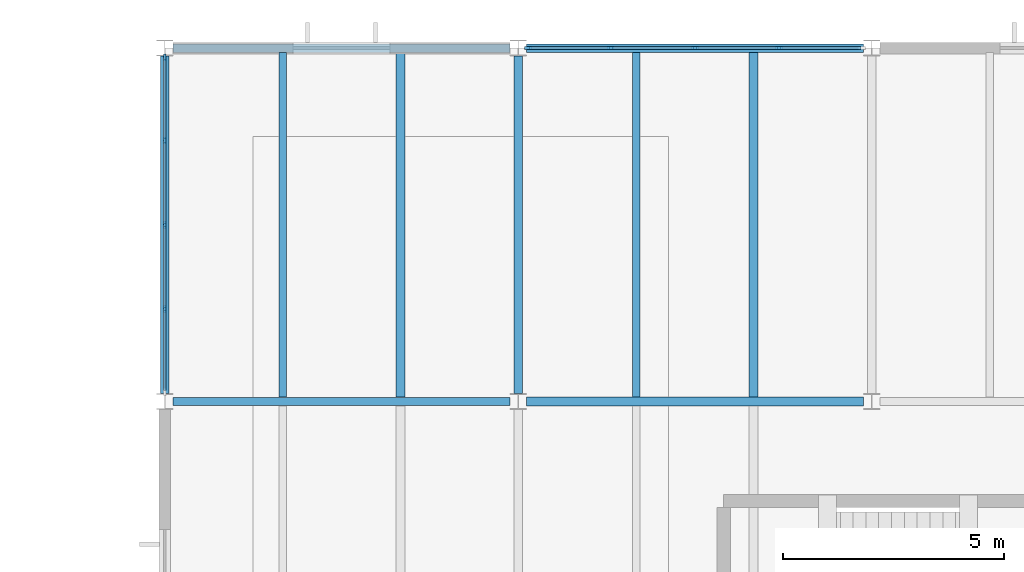
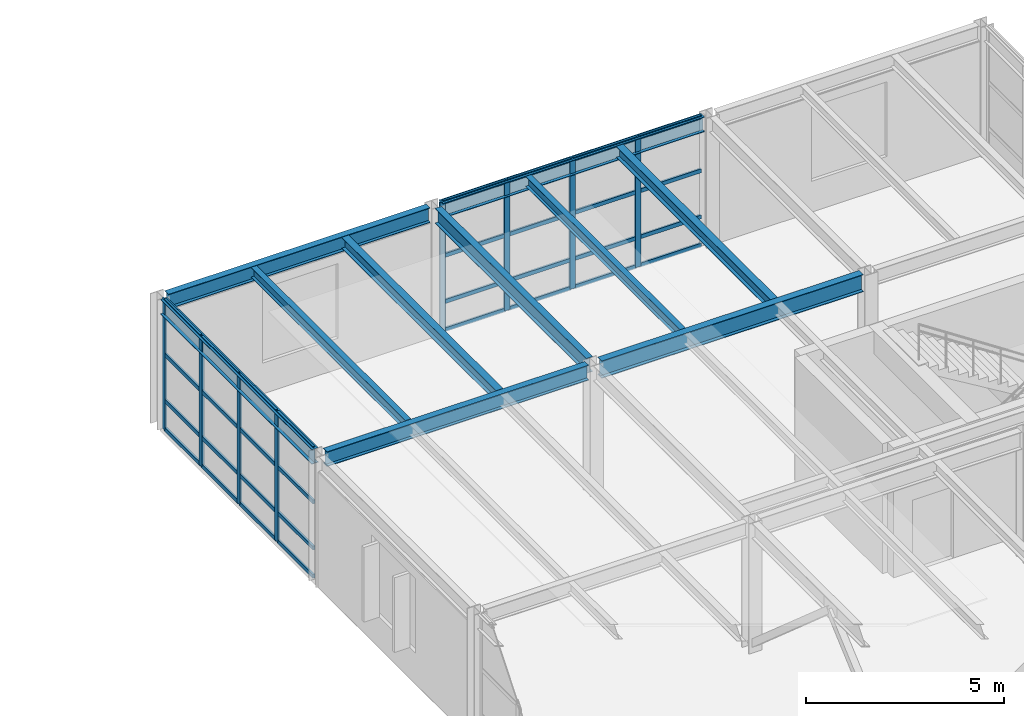
# One storey, part 26 of 50: 40 members, 10 beams, 2 elements without a shape of their own.
"""IFC4 building model written with IfcOpenShell, lengths in metres."""

from ifc_helpers import new_model, si_unit, direction, frame, origin, origin_2d, place, context, subcontext, project, spatial, rectangle, i_section, extrude, material, layer, layer_set, material_profile, profile_set, type_object, element, aggregate, save


model = new_model("IFC4")

# Units and contexts
model_context = context("Model", 3, precision=1e-05, world=origin(), true_north=direction((0.0, 1.0)))
body_context = subcontext(model_context, "Body", "Model", "MODEL_VIEW")
ifc_project = project(units=[si_unit("LENGTHUNIT", "METRE"), si_unit("AREAUNIT", "SQUARE_METRE"), si_unit("VOLUMEUNIT", "CUBIC_METRE"), si_unit("PLANEANGLEUNIT", "RADIAN"), si_unit("MASSUNIT", "GRAM", prefix="KILO")], contexts=[model_context])

# Site, building, storey
site_placement = place(None, origin())
site = spatial("IfcSite", under=ifc_project, at=site_placement, CompositionType="ELEMENT")
building_placement = place(site_placement, origin())
building = spatial("IfcBuilding", under=site, at=building_placement, Name="Varnela Railside Interchange", CompositionType="ELEMENT")
storey_placement = place(building_placement, frame((0.0, 0.0, 15.39990234375)))
storey = spatial("IfcBuildingStorey", under=building, at=storey_placement, Name="L03", CompositionType="ELEMENT", Elevation=15.39990234375)

# Beams
ifc_material_1 = material(Name="Steel AR 350 (350 MPa)", Category="steel")
ifc_material_profile_1 = material_profile(ifc_material_1, i_section(OverallWidth=0.1650390625, OverallDepth=0.31005859375, WebThickness=0.005859375, FlangeThickness=0.009765625, at=origin_2d()), Name="W310x38.7")
ifc_profile_set_1 = profile_set([ifc_material_profile_1], Name="Steel AR 350 (350 MPa)")
beam_type_1 = type_object("IfcBeamType", Name="Composite Floor Joist J-04", PredefinedType="JOIST", material=ifc_profile_set_1)
for number, where, z_axis, x_axis, name in (
    (1, (118.669921875, 86.1044921875, 3.84521484375), (0.0, 1.0, 0.0), (-1.0, 0.0, 0.0), "Composite Floor Joist J-04 (L03) (BM-2130)"),
    (2, (126.669921875, 86.1044921875, 3.84521484375), (0.0, 1.0, 0.0), (-1.0, 0.0, 0.0), "Composite Floor Joist J-04 (L03) (BM-2143)"),
):
    element("IfcBeam", number, at=place(storey_placement, frame(where, z_axis=z_axis, x_axis=x_axis)), inside=storey, type_object=beam_type_1, Name=name, PredefinedType="JOIST", context=body_context, shape_type="SweptSolid", body=[
        extrude(i_section(OverallWidth=0.1650390625, OverallDepth=0.31005859375, WebThickness=0.005859375, FlangeThickness=0.009765625, at=origin_2d()), origin(), (0.0, 0.0, 1.0), 7.791015625),
    ])
ifc_material_profile_2 = material_profile(ifc_material_1, i_section(OverallWidth=0.208984375, OverallDepth=0.532958984375, WebThickness=0.01025390625, FlangeThickness=0.015625, at=origin_2d()), Name="W530x92")
ifc_profile_set_2 = profile_set([ifc_material_profile_2], Name="Steel AR 350 (350 MPa)")
beam_type_2 = type_object("IfcBeamType", Name="Composite Girder B-18", PredefinedType="BEAM", material=ifc_profile_set_2)
beam_placement = place(storey_placement, frame((124.1865234375, 86.0, 3.733642578125), z_axis=(1.0, 0.0, 0.0), x_axis=(0.0, 1.0, 0.0)))
element("IfcBeam", 3, at=beam_placement, inside=storey, type_object=beam_type_2, Name="Composite Girder B-18 (L03) (BM-2259)", PredefinedType="BEAM", context=body_context, shape_type="SweptSolid", body=[
    extrude(i_section(OverallWidth=0.208984375, OverallDepth=0.532958984375, WebThickness=0.01025390625, FlangeThickness=0.015625, at=origin_2d()), origin(), (0.0, 0.0, 1.0), 7.626953125),
])
ifc_material_profile_3 = material_profile(ifc_material_1, i_section(OverallWidth=0.202880859375, OverallDepth=0.346923828125, WebThickness=0.0078125, FlangeThickness=0.013427734375, at=origin_2d()), Name="W360x64")
ifc_profile_set_3 = profile_set([ifc_material_profile_3], Name="Steel AR 350 (350 MPa)")
beam_type_3 = type_object("IfcBeamType", Name="Composite Heavy Joist J-01", PredefinedType="JOIST", material=ifc_profile_set_3)
for number, where, z_axis, x_axis, name in (
    (4, (121.330078125, 86.1044921875, 3.82666015625), (0.0, 1.0, 0.0), (-1.0, 0.0, 0.0), "Composite Heavy Joist J-01 (L03) (BM-2131)"),
    (5, (129.330078125, 86.1044921875, 3.82666015625), (0.0, 1.0, 0.0), (-1.0, 0.0, 0.0), "Composite Heavy Joist J-01 (L03) (BM-2144)"),
):
    element("IfcBeam", number, at=place(storey_placement, frame(where, z_axis=z_axis, x_axis=x_axis)), inside=storey, type_object=beam_type_3, Name=name, PredefinedType="JOIST", context=body_context, shape_type="SweptSolid", body=[
        extrude(i_section(OverallWidth=0.202880859375, OverallDepth=0.346923828125, WebThickness=0.0078125, FlangeThickness=0.013427734375, at=origin_2d()), origin(), (0.0, 0.0, 1.0), 7.791015625),
    ])

# Curtain wall, members
ifc_material_2 = material(Name="Aluminium 6063-T6", Category="aluminium")
ifc_layer = layer(ifc_material_2, 0.035888671875)
ifc_layer_set = layer_set([ifc_layer], Name="Aluminium 6063-T6")
curtain_wall_type = type_object("IfcCurtainWallType", Name="Study Pavilion Gallery Curtain Wall CW-02", PredefinedType="USERDEFINED", material=ifc_layer_set)
curtain_wall_1_placement = place(storey_placement, origin())
curtain_wall_1 = element("IfcCurtainWall", 6, at=curtain_wall_1_placement, inside=storey, type_object=curtain_wall_type, Name="Curtain Wall CW-02 (L03) (CW-092)", ObjectType="CURTAIN WALL", PredefinedType="USERDEFINED")
ifc_material_profile_4 = material_profile(ifc_material_2, rectangle(XDim=0.06005859375, YDim=0.159912109375, at=origin_2d()), Name="ALU 60x160")
ifc_profile_set_4 = profile_set([ifc_material_profile_4], Name="Aluminium 6063-T6")
member_type_1 = type_object("IfcMemberType", Name="Curtain Wall Mullion ML-02", PredefinedType="MULLION", material=ifc_profile_set_4)
member_1_placement = place(storey_placement, frame((116.0, 88.092041015625, 0.0), z_axis=(0.0, 0.0, 1.0), x_axis=(-1.0, 0.0, 0.0)))
member_1 = element("IfcMember", 7, at=member_1_placement, type_object=member_type_1, Name="CW-02 mullion 2", PredefinedType="MULLION", context=body_context, shape_type="SweptSolid", body=[
    extrude(rectangle(XDim=0.06005859375, YDim=0.159912109375, at=origin_2d()), origin(), (0.0, 0.0, 1.0), 4.0),
])
member_2_placement = place(storey_placement, frame((116.0, 90.0, 0.0), z_axis=(0.0, 0.0, 1.0), x_axis=(-1.0, 0.0, 0.0)))
member_2 = element("IfcMember", 8, at=member_2_placement, type_object=member_type_1, Name="CW-02 mullion 3", PredefinedType="MULLION", context=body_context, shape_type="SweptSolid", body=[
    extrude(rectangle(XDim=0.06005859375, YDim=0.159912109375, at=origin_2d()), origin(), (0.0, 0.0, 1.0), 4.0),
])
member_3_placement = place(storey_placement, frame((116.0, 91.907958984375, 0.0), z_axis=(0.0, 0.0, 1.0), x_axis=(-1.0, 0.0, 0.0)))
member_3 = element("IfcMember", 9, at=member_3_placement, type_object=member_type_1, Name="CW-02 mullion 4", PredefinedType="MULLION", context=body_context, shape_type="SweptSolid", body=[
    extrude(rectangle(XDim=0.06005859375, YDim=0.159912109375, at=origin_2d()), origin(), (0.0, 0.0, 1.0), 4.0),
])
member_4_placement = place(storey_placement, frame((116.0, 93.785888671875, 0.0), z_axis=(0.0, 0.0, 1.0), x_axis=(-1.0, 0.0, 0.0)))
member_4 = element("IfcMember", 10, at=member_4_placement, type_object=member_type_1, Name="CW-02 mullion 5", PredefinedType="MULLION", context=body_context, shape_type="SweptSolid", body=[
    extrude(rectangle(XDim=0.06005859375, YDim=0.159912109375, at=origin_2d()), origin(), (0.0, 0.0, 1.0), 4.0),
])

curtain_wall_2_placement = place(storey_placement, origin())
curtain_wall_2 = element("IfcCurtainWall", 11, at=curtain_wall_2_placement, inside=storey, type_object=curtain_wall_type, Name="Curtain Wall CW-02 (L03) (CW-093)", ObjectType="CURTAIN WALL", PredefinedType="USERDEFINED")
member_5_placement = place(storey_placement, frame((124.216552734375, 94.0, 0.0), z_axis=(0.0, 0.0, 1.0), x_axis=(0.0, 1.0, 0.0)))
member_5 = element("IfcMember", 12, at=member_5_placement, type_object=member_type_1, Name="CW-02 mullion 1", PredefinedType="MULLION", context=body_context, shape_type="SweptSolid", body=[
    extrude(rectangle(XDim=0.06005859375, YDim=0.159912109375, at=origin_2d()), origin(), (0.0, 0.0, 1.0), 4.0),
])
member_6_placement = place(storey_placement, frame((126.09326171875, 94.0, 0.0), z_axis=(0.0, 0.0, 1.0), x_axis=(0.0, 1.0, 0.0)))
member_6 = element("IfcMember", 13, at=member_6_placement, type_object=member_type_1, Name="CW-02 mullion 2", PredefinedType="MULLION", context=body_context, shape_type="SweptSolid", body=[
    extrude(rectangle(XDim=0.06005859375, YDim=0.159912109375, at=origin_2d()), origin(), (0.0, 0.0, 1.0), 4.0),
])
member_7_placement = place(storey_placement, frame((128.0, 94.0, 0.0), z_axis=(0.0, 0.0, 1.0), x_axis=(0.0, 1.0, 0.0)))
member_7 = element("IfcMember", 14, at=member_7_placement, type_object=member_type_1, Name="CW-02 mullion 3", PredefinedType="MULLION", context=body_context, shape_type="SweptSolid", body=[
    extrude(rectangle(XDim=0.06005859375, YDim=0.159912109375, at=origin_2d()), origin(), (0.0, 0.0, 1.0), 4.0),
])
member_8_placement = place(storey_placement, frame((129.90673828125, 94.0, 0.0), z_axis=(0.0, 0.0, 1.0), x_axis=(0.0, 1.0, 0.0)))
member_8 = element("IfcMember", 15, at=member_8_placement, type_object=member_type_1, Name="CW-02 mullion 4", PredefinedType="MULLION", context=body_context, shape_type="SweptSolid", body=[
    extrude(rectangle(XDim=0.06005859375, YDim=0.159912109375, at=origin_2d()), origin(), (0.0, 0.0, 1.0), 4.0),
])

# Member
ifc_material_profile_5 = material_profile(ifc_material_2, rectangle(XDim=0.06005859375, YDim=0.1201171875, at=origin_2d()), Name="ALU 60x120")
ifc_profile_set_5 = profile_set([ifc_material_profile_5], Name="Aluminium 6063-T6")
member_type_2 = type_object("IfcMemberType", Name="Curtain Wall Transom TR-02", PredefinedType="USERDEFINED", material=ifc_profile_set_5)
member_9_placement = place(storey_placement, frame((116.0, 86.243896484375, 0.030029296875), z_axis=(0.0, 1.0, 0.0), x_axis=(-1.0, 0.0, 0.0)))
member_9 = element("IfcMember", 16, at=member_9_placement, type_object=member_type_2, Name="CW-02 transom 1.1", ObjectType="TRANSOM", PredefinedType="USERDEFINED", context=body_context, shape_type="SweptSolid", body=[
    extrude(rectangle(XDim=0.06005859375, YDim=0.1201171875, at=origin_2d()), origin(), (0.0, 0.0, 1.0), 1.818115234375),
])

member_10_placement = place(storey_placement, frame((116.0, 86.243896484375, 0.900146484375), z_axis=(0.0, 1.0, 0.0), x_axis=(-1.0, 0.0, 0.0)))
member_10 = element("IfcMember", 17, at=member_10_placement, type_object=member_type_2, Name="CW-02 transom 1.2", ObjectType="TRANSOM", PredefinedType="USERDEFINED", context=body_context, shape_type="SweptSolid", body=[
    extrude(rectangle(XDim=0.06005859375, YDim=0.1201171875, at=origin_2d()), origin(), (0.0, 0.0, 1.0), 1.818115234375),
])

member_11_placement = place(storey_placement, frame((116.0, 86.243896484375, 2.320068359375), z_axis=(0.0, 1.0, 0.0), x_axis=(-1.0, 0.0, 0.0)))
member_11 = element("IfcMember", 18, at=member_11_placement, type_object=member_type_2, Name="CW-02 transom 1.3", ObjectType="TRANSOM", PredefinedType="USERDEFINED", context=body_context, shape_type="SweptSolid", body=[
    extrude(rectangle(XDim=0.06005859375, YDim=0.1201171875, at=origin_2d()), origin(), (0.0, 0.0, 1.0), 1.818115234375),
])

member_12_placement = place(storey_placement, frame((116.0, 86.243896484375, 3.97021484375), z_axis=(0.0, 1.0, 0.0), x_axis=(-1.0, 0.0, 0.0)))
member_12 = element("IfcMember", 19, at=member_12_placement, type_object=member_type_2, Name="CW-02 transom 1.4", ObjectType="TRANSOM", PredefinedType="USERDEFINED", context=body_context, shape_type="SweptSolid", body=[
    extrude(rectangle(XDim=0.06005859375, YDim=0.1201171875, at=origin_2d()), origin(), (0.0, 0.0, 1.0), 1.818115234375),
])

member_13_placement = place(storey_placement, frame((116.0, 88.1220703125, 0.030029296875), z_axis=(0.0, 1.0, 0.0), x_axis=(-1.0, 0.0, 0.0)))
member_13 = element("IfcMember", 20, at=member_13_placement, type_object=member_type_2, Name="CW-02 transom 2.1", ObjectType="TRANSOM", PredefinedType="USERDEFINED", context=body_context, shape_type="SweptSolid", body=[
    extrude(rectangle(XDim=0.06005859375, YDim=0.1201171875, at=origin_2d()), origin(), (0.0, 0.0, 1.0), 1.847900390625),
])

member_14_placement = place(storey_placement, frame((116.0, 88.1220703125, 0.900146484375), z_axis=(0.0, 1.0, 0.0), x_axis=(-1.0, 0.0, 0.0)))
member_14 = element("IfcMember", 21, at=member_14_placement, type_object=member_type_2, Name="CW-02 transom 2.2", ObjectType="TRANSOM", PredefinedType="USERDEFINED", context=body_context, shape_type="SweptSolid", body=[
    extrude(rectangle(XDim=0.06005859375, YDim=0.1201171875, at=origin_2d()), origin(), (0.0, 0.0, 1.0), 1.847900390625),
])

member_15_placement = place(storey_placement, frame((116.0, 88.1220703125, 2.320068359375), z_axis=(0.0, 1.0, 0.0), x_axis=(-1.0, 0.0, 0.0)))
member_15 = element("IfcMember", 22, at=member_15_placement, type_object=member_type_2, Name="CW-02 transom 2.3", ObjectType="TRANSOM", PredefinedType="USERDEFINED", context=body_context, shape_type="SweptSolid", body=[
    extrude(rectangle(XDim=0.06005859375, YDim=0.1201171875, at=origin_2d()), origin(), (0.0, 0.0, 1.0), 1.847900390625),
])

member_16_placement = place(storey_placement, frame((116.0, 88.1220703125, 3.97021484375), z_axis=(0.0, 1.0, 0.0), x_axis=(-1.0, 0.0, 0.0)))
member_16 = element("IfcMember", 23, at=member_16_placement, type_object=member_type_2, Name="CW-02 transom 2.4", ObjectType="TRANSOM", PredefinedType="USERDEFINED", context=body_context, shape_type="SweptSolid", body=[
    extrude(rectangle(XDim=0.06005859375, YDim=0.1201171875, at=origin_2d()), origin(), (0.0, 0.0, 1.0), 1.847900390625),
])

member_17_placement = place(storey_placement, frame((116.0, 90.030029296875, 0.030029296875), z_axis=(0.0, 1.0, 0.0), x_axis=(-1.0, 0.0, 0.0)))
member_17 = element("IfcMember", 24, at=member_17_placement, type_object=member_type_2, Name="CW-02 transom 3.1", ObjectType="TRANSOM", PredefinedType="USERDEFINED", context=body_context, shape_type="SweptSolid", body=[
    extrude(rectangle(XDim=0.06005859375, YDim=0.1201171875, at=origin_2d()), origin(), (0.0, 0.0, 1.0), 1.847900390625),
])

member_18_placement = place(storey_placement, frame((116.0, 90.030029296875, 0.900146484375), z_axis=(0.0, 1.0, 0.0), x_axis=(-1.0, 0.0, 0.0)))
member_18 = element("IfcMember", 25, at=member_18_placement, type_object=member_type_2, Name="CW-02 transom 3.2", ObjectType="TRANSOM", PredefinedType="USERDEFINED", context=body_context, shape_type="SweptSolid", body=[
    extrude(rectangle(XDim=0.06005859375, YDim=0.1201171875, at=origin_2d()), origin(), (0.0, 0.0, 1.0), 1.847900390625),
])

member_19_placement = place(storey_placement, frame((116.0, 90.030029296875, 2.320068359375), z_axis=(0.0, 1.0, 0.0), x_axis=(-1.0, 0.0, 0.0)))
member_19 = element("IfcMember", 26, at=member_19_placement, type_object=member_type_2, Name="CW-02 transom 3.3", ObjectType="TRANSOM", PredefinedType="USERDEFINED", context=body_context, shape_type="SweptSolid", body=[
    extrude(rectangle(XDim=0.06005859375, YDim=0.1201171875, at=origin_2d()), origin(), (0.0, 0.0, 1.0), 1.847900390625),
])

member_20_placement = place(storey_placement, frame((116.0, 90.030029296875, 3.97021484375), z_axis=(0.0, 1.0, 0.0), x_axis=(-1.0, 0.0, 0.0)))
member_20 = element("IfcMember", 27, at=member_20_placement, type_object=member_type_2, Name="CW-02 transom 3.4", ObjectType="TRANSOM", PredefinedType="USERDEFINED", context=body_context, shape_type="SweptSolid", body=[
    extrude(rectangle(XDim=0.06005859375, YDim=0.1201171875, at=origin_2d()), origin(), (0.0, 0.0, 1.0), 1.847900390625),
])

member_21_placement = place(storey_placement, frame((116.0, 91.93798828125, 0.030029296875), z_axis=(0.0, 1.0, 0.0), x_axis=(-1.0, 0.0, 0.0)))
member_21 = element("IfcMember", 28, at=member_21_placement, type_object=member_type_2, Name="CW-02 transom 4.1", ObjectType="TRANSOM", PredefinedType="USERDEFINED", context=body_context, shape_type="SweptSolid", body=[
    extrude(rectangle(XDim=0.06005859375, YDim=0.1201171875, at=origin_2d()), origin(), (0.0, 0.0, 1.0), 1.818115234375),
])

member_22_placement = place(storey_placement, frame((116.0, 91.93798828125, 0.900146484375), z_axis=(0.0, 1.0, 0.0), x_axis=(-1.0, 0.0, 0.0)))
member_22 = element("IfcMember", 29, at=member_22_placement, type_object=member_type_2, Name="CW-02 transom 4.2", ObjectType="TRANSOM", PredefinedType="USERDEFINED", context=body_context, shape_type="SweptSolid", body=[
    extrude(rectangle(XDim=0.06005859375, YDim=0.1201171875, at=origin_2d()), origin(), (0.0, 0.0, 1.0), 1.818115234375),
])

member_23_placement = place(storey_placement, frame((116.0, 91.93798828125, 2.320068359375), z_axis=(0.0, 1.0, 0.0), x_axis=(-1.0, 0.0, 0.0)))
member_23 = element("IfcMember", 30, at=member_23_placement, type_object=member_type_2, Name="CW-02 transom 4.3", ObjectType="TRANSOM", PredefinedType="USERDEFINED", context=body_context, shape_type="SweptSolid", body=[
    extrude(rectangle(XDim=0.06005859375, YDim=0.1201171875, at=origin_2d()), origin(), (0.0, 0.0, 1.0), 1.818115234375),
])

member_24_placement = place(storey_placement, frame((116.0, 91.93798828125, 3.97021484375), z_axis=(0.0, 1.0, 0.0), x_axis=(-1.0, 0.0, 0.0)))
member_24 = element("IfcMember", 31, at=member_24_placement, type_object=member_type_2, Name="CW-02 transom 4.4", ObjectType="TRANSOM", PredefinedType="USERDEFINED", context=body_context, shape_type="SweptSolid", body=[
    extrude(rectangle(XDim=0.06005859375, YDim=0.1201171875, at=origin_2d()), origin(), (0.0, 0.0, 1.0), 1.818115234375),
])

aggregate(curtain_wall_1, [member_1, member_2, member_3, member_4, member_9, member_10, member_11, member_12, member_13, member_14, member_15, member_16, member_17, member_18, member_19, member_20, member_21, member_22, member_23, member_24])

member_25_placement = place(storey_placement, frame((124.24658203125, 94.0, 0.030029296875), z_axis=(1.0, 0.0, 0.0), x_axis=(0.0, 1.0, 0.0)))
member_25 = element("IfcMember", 32, at=member_25_placement, type_object=member_type_2, Name="CW-02 transom 1.1", ObjectType="TRANSOM", PredefinedType="USERDEFINED", context=body_context, shape_type="SweptSolid", body=[
    extrude(rectangle(XDim=0.06005859375, YDim=0.1201171875, at=origin_2d()), origin(), (0.0, 0.0, 1.0), 1.816650390625),
])

member_26_placement = place(storey_placement, frame((124.24658203125, 94.0, 0.900146484375), z_axis=(1.0, 0.0, 0.0), x_axis=(0.0, 1.0, 0.0)))
member_26 = element("IfcMember", 33, at=member_26_placement, type_object=member_type_2, Name="CW-02 transom 1.2", ObjectType="TRANSOM", PredefinedType="USERDEFINED", context=body_context, shape_type="SweptSolid", body=[
    extrude(rectangle(XDim=0.06005859375, YDim=0.1201171875, at=origin_2d()), origin(), (0.0, 0.0, 1.0), 1.816650390625),
])

member_27_placement = place(storey_placement, frame((124.24658203125, 94.0, 2.320068359375), z_axis=(1.0, 0.0, 0.0), x_axis=(0.0, 1.0, 0.0)))
member_27 = element("IfcMember", 34, at=member_27_placement, type_object=member_type_2, Name="CW-02 transom 1.3", ObjectType="TRANSOM", PredefinedType="USERDEFINED", context=body_context, shape_type="SweptSolid", body=[
    extrude(rectangle(XDim=0.06005859375, YDim=0.1201171875, at=origin_2d()), origin(), (0.0, 0.0, 1.0), 1.816650390625),
])

member_28_placement = place(storey_placement, frame((124.24658203125, 94.0, 3.97021484375), z_axis=(1.0, 0.0, 0.0), x_axis=(0.0, 1.0, 0.0)))
member_28 = element("IfcMember", 35, at=member_28_placement, type_object=member_type_2, Name="CW-02 transom 1.4", ObjectType="TRANSOM", PredefinedType="USERDEFINED", context=body_context, shape_type="SweptSolid", body=[
    extrude(rectangle(XDim=0.06005859375, YDim=0.1201171875, at=origin_2d()), origin(), (0.0, 0.0, 1.0), 1.816650390625),
])

member_29_placement = place(storey_placement, frame((126.123291015625, 94.0, 0.030029296875), z_axis=(1.0, 0.0, 0.0), x_axis=(0.0, 1.0, 0.0)))
member_29 = element("IfcMember", 36, at=member_29_placement, type_object=member_type_2, Name="CW-02 transom 2.1", ObjectType="TRANSOM", PredefinedType="USERDEFINED", context=body_context, shape_type="SweptSolid", body=[
    extrude(rectangle(XDim=0.06005859375, YDim=0.1201171875, at=origin_2d()), origin(), (0.0, 0.0, 1.0), 1.8466796875),
])

member_30_placement = place(storey_placement, frame((126.123291015625, 94.0, 0.900146484375), z_axis=(1.0, 0.0, 0.0), x_axis=(0.0, 1.0, 0.0)))
member_30 = element("IfcMember", 37, at=member_30_placement, type_object=member_type_2, Name="CW-02 transom 2.2", ObjectType="TRANSOM", PredefinedType="USERDEFINED", context=body_context, shape_type="SweptSolid", body=[
    extrude(rectangle(XDim=0.06005859375, YDim=0.1201171875, at=origin_2d()), origin(), (0.0, 0.0, 1.0), 1.8466796875),
])

member_31_placement = place(storey_placement, frame((126.123291015625, 94.0, 2.320068359375), z_axis=(1.0, 0.0, 0.0), x_axis=(0.0, 1.0, 0.0)))
member_31 = element("IfcMember", 38, at=member_31_placement, type_object=member_type_2, Name="CW-02 transom 2.3", ObjectType="TRANSOM", PredefinedType="USERDEFINED", context=body_context, shape_type="SweptSolid", body=[
    extrude(rectangle(XDim=0.06005859375, YDim=0.1201171875, at=origin_2d()), origin(), (0.0, 0.0, 1.0), 1.8466796875),
])

member_32_placement = place(storey_placement, frame((126.123291015625, 94.0, 3.97021484375), z_axis=(1.0, 0.0, 0.0), x_axis=(0.0, 1.0, 0.0)))
member_32 = element("IfcMember", 39, at=member_32_placement, type_object=member_type_2, Name="CW-02 transom 2.4", ObjectType="TRANSOM", PredefinedType="USERDEFINED", context=body_context, shape_type="SweptSolid", body=[
    extrude(rectangle(XDim=0.06005859375, YDim=0.1201171875, at=origin_2d()), origin(), (0.0, 0.0, 1.0), 1.8466796875),
])

member_33_placement = place(storey_placement, frame((128.030029296875, 94.0, 0.030029296875), z_axis=(1.0, 0.0, 0.0), x_axis=(0.0, 1.0, 0.0)))
member_33 = element("IfcMember", 40, at=member_33_placement, type_object=member_type_2, Name="CW-02 transom 3.1", ObjectType="TRANSOM", PredefinedType="USERDEFINED", context=body_context, shape_type="SweptSolid", body=[
    extrude(rectangle(XDim=0.06005859375, YDim=0.1201171875, at=origin_2d()), origin(), (0.0, 0.0, 1.0), 1.8466796875),
])

member_34_placement = place(storey_placement, frame((128.030029296875, 94.0, 0.900146484375), z_axis=(1.0, 0.0, 0.0), x_axis=(0.0, 1.0, 0.0)))
member_34 = element("IfcMember", 41, at=member_34_placement, type_object=member_type_2, Name="CW-02 transom 3.2", ObjectType="TRANSOM", PredefinedType="USERDEFINED", context=body_context, shape_type="SweptSolid", body=[
    extrude(rectangle(XDim=0.06005859375, YDim=0.1201171875, at=origin_2d()), origin(), (0.0, 0.0, 1.0), 1.8466796875),
])

member_35_placement = place(storey_placement, frame((128.030029296875, 94.0, 2.320068359375), z_axis=(1.0, 0.0, 0.0), x_axis=(0.0, 1.0, 0.0)))
member_35 = element("IfcMember", 42, at=member_35_placement, type_object=member_type_2, Name="CW-02 transom 3.3", ObjectType="TRANSOM", PredefinedType="USERDEFINED", context=body_context, shape_type="SweptSolid", body=[
    extrude(rectangle(XDim=0.06005859375, YDim=0.1201171875, at=origin_2d()), origin(), (0.0, 0.0, 1.0), 1.8466796875),
])

member_36_placement = place(storey_placement, frame((128.030029296875, 94.0, 3.97021484375), z_axis=(1.0, 0.0, 0.0), x_axis=(0.0, 1.0, 0.0)))
member_36 = element("IfcMember", 43, at=member_36_placement, type_object=member_type_2, Name="CW-02 transom 3.4", ObjectType="TRANSOM", PredefinedType="USERDEFINED", context=body_context, shape_type="SweptSolid", body=[
    extrude(rectangle(XDim=0.06005859375, YDim=0.1201171875, at=origin_2d()), origin(), (0.0, 0.0, 1.0), 1.8466796875),
])

member_37_placement = place(storey_placement, frame((129.936767578125, 94.0, 0.030029296875), z_axis=(1.0, 0.0, 0.0), x_axis=(0.0, 1.0, 0.0)))
member_37 = element("IfcMember", 44, at=member_37_placement, type_object=member_type_2, Name="CW-02 transom 4.1", ObjectType="TRANSOM", PredefinedType="USERDEFINED", context=body_context, shape_type="SweptSolid", body=[
    extrude(rectangle(XDim=0.06005859375, YDim=0.1201171875, at=origin_2d()), origin(), (0.0, 0.0, 1.0), 1.816650390625),
])

member_38_placement = place(storey_placement, frame((129.936767578125, 94.0, 0.900146484375), z_axis=(1.0, 0.0, 0.0), x_axis=(0.0, 1.0, 0.0)))
member_38 = element("IfcMember", 45, at=member_38_placement, type_object=member_type_2, Name="CW-02 transom 4.2", ObjectType="TRANSOM", PredefinedType="USERDEFINED", context=body_context, shape_type="SweptSolid", body=[
    extrude(rectangle(XDim=0.06005859375, YDim=0.1201171875, at=origin_2d()), origin(), (0.0, 0.0, 1.0), 1.816650390625),
])

member_39_placement = place(storey_placement, frame((129.936767578125, 94.0, 2.320068359375), z_axis=(1.0, 0.0, 0.0), x_axis=(0.0, 1.0, 0.0)))
member_39 = element("IfcMember", 46, at=member_39_placement, type_object=member_type_2, Name="CW-02 transom 4.3", ObjectType="TRANSOM", PredefinedType="USERDEFINED", context=body_context, shape_type="SweptSolid", body=[
    extrude(rectangle(XDim=0.06005859375, YDim=0.1201171875, at=origin_2d()), origin(), (0.0, 0.0, 1.0), 1.816650390625),
])

member_40_placement = place(storey_placement, frame((129.936767578125, 94.0, 3.97021484375), z_axis=(1.0, 0.0, 0.0), x_axis=(0.0, 1.0, 0.0)))
member_40 = element("IfcMember", 47, at=member_40_placement, type_object=member_type_2, Name="CW-02 transom 4.4", ObjectType="TRANSOM", PredefinedType="USERDEFINED", context=body_context, shape_type="SweptSolid", body=[
    extrude(rectangle(XDim=0.06005859375, YDim=0.1201171875, at=origin_2d()), origin(), (0.0, 0.0, 1.0), 1.816650390625),
])

aggregate(curtain_wall_2, [member_5, member_6, member_7, member_8, member_25, member_26, member_27, member_28, member_29, member_30, member_31, member_32, member_33, member_34, member_35, member_36, member_37, member_38, member_39, member_40])

# Beams
ifc_material_profile_6 = material_profile(ifc_material_1, i_section(OverallWidth=0.19091796875, OverallDepth=0.4599609375, WebThickness=0.010009765625, FlangeThickness=0.01611328125, at=origin_2d()), Name="W460x82")
ifc_profile_set_6 = profile_set([ifc_material_profile_6], Name="Steel AR 350 (350 MPa)")
beam_type_4 = type_object("IfcBeamType", Name="Steel Perimeter Spandrel SP-01", PredefinedType="SPANDREL", material=ifc_profile_set_6)
for number, where, z_axis, x_axis, name in (
    (48, (116.1865234375, 86.0, 3.77001953125), (1.0, 0.0, 0.0), (0.0, 1.0, 0.0), "Steel Perimeter Spandrel SP-01 (L03) (BM-2258)"),
    (49, (116.1865234375, 94.0, 3.77001953125), (1.0, 0.0, 0.0), (0.0, 1.0, 0.0), "Steel Perimeter Spandrel SP-01 (L03) (BM-2267)"),
    (50, (124.1865234375, 94.0, 3.77001953125), (1.0, 0.0, 0.0), (0.0, 1.0, 0.0), "Steel Perimeter Spandrel SP-01 (L03) (BM-2268)"),
):
    element("IfcBeam", number, at=place(storey_placement, frame(where, z_axis=z_axis, x_axis=x_axis)), inside=storey, type_object=beam_type_4, Name=name, PredefinedType="SPANDREL", context=body_context, shape_type="SweptSolid", body=[
        extrude(i_section(OverallWidth=0.19091796875, OverallDepth=0.4599609375, WebThickness=0.010009765625, FlangeThickness=0.01611328125, at=origin_2d()), origin(), (0.0, 0.0, 1.0), 7.626953125),
    ])
for number, where, z_axis, x_axis, name in (
    (51, (116.0, 86.18408203125, 3.77001953125), (0.0, 1.0, 0.0), (-1.0, 0.0, 0.0), "Steel Perimeter Spandrel SP-01 (L03) (BM-2282)"),
    (52, (124.0, 86.18408203125, 3.77001953125), (0.0, 1.0, 0.0), (-1.0, 0.0, 0.0), "Steel Perimeter Spandrel SP-01 (L03) (BM-2288)"),
):
    element("IfcBeam", number, at=place(storey_placement, frame(where, z_axis=z_axis, x_axis=x_axis)), inside=storey, type_object=beam_type_4, Name=name, PredefinedType="SPANDREL", context=body_context, shape_type="SweptSolid", body=[
        extrude(i_section(OverallWidth=0.19091796875, OverallDepth=0.4599609375, WebThickness=0.010009765625, FlangeThickness=0.01611328125, at=origin_2d()), origin(), (0.0, 0.0, 1.0), 7.6318359375),
    ])

save(model, "model.ifc")
